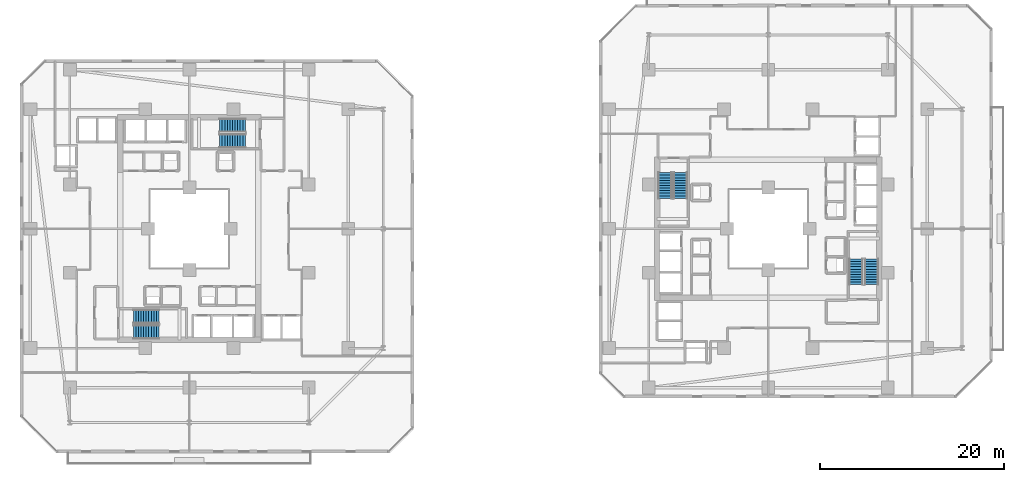
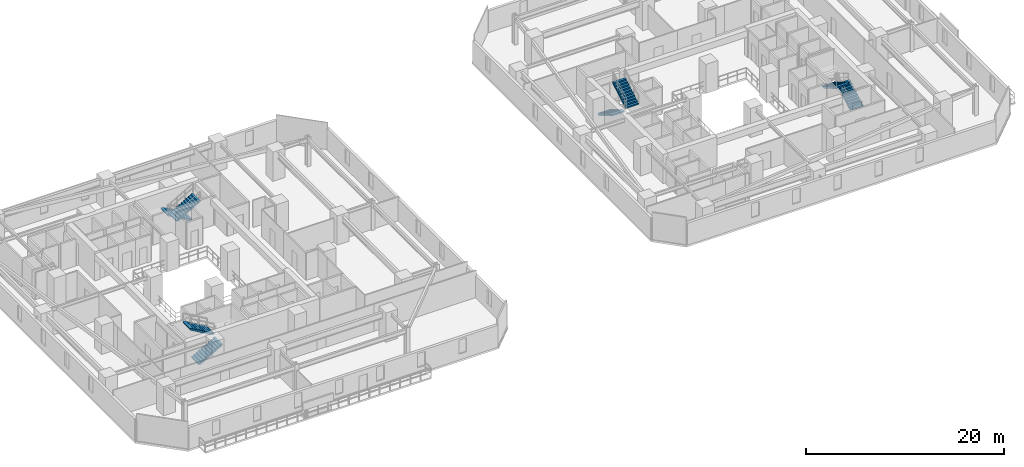
# One storey, part 28 of 34: 8 stair flights, 4 elements without a shape of their own.
"""IFC4 building model written with IfcOpenShell, lengths in metres."""

from ifc_helpers import new_model, si_unit, direction, frame, origin, place, context, subcontext, project, spatial, polyline, outline, extrude, material, type_object, element, aggregate, save


model = new_model("IFC4")

# Units and contexts
model_context = context("Model", 3, precision=1e-05, world=origin(), true_north=direction((0.0, 1.0)))
body_context = subcontext(model_context, "Body", "Model", "MODEL_VIEW")
ifc_project = project(units=[si_unit("LENGTHUNIT", "METRE"), si_unit("AREAUNIT", "SQUARE_METRE"), si_unit("VOLUMEUNIT", "CUBIC_METRE"), si_unit("PLANEANGLEUNIT", "RADIAN"), si_unit("MASSUNIT", "GRAM", prefix="KILO")], contexts=[model_context])

# Site, building, storey
site_placement = place(None, origin())
site = spatial("IfcSite", under=ifc_project, at=site_placement, CompositionType="ELEMENT")
building_placement = place(site_placement, origin())
building = spatial("IfcBuilding", under=site, at=building_placement, Name="Thornwick Lancets Civic Towers", CompositionType="ELEMENT")
storey_placement = place(building_placement, frame((0.0, 0.0, 53.699951171875)))
storey = spatial("IfcBuildingStorey", under=building, at=storey_placement, Name="L13", CompositionType="ELEMENT", Elevation=53.699951171875)

# Stair, stair flights
ifc_material = material(Name="Concrete C40/50", Category="concrete")
stair_type = type_object("IfcStairType", Name="STAIR_DL_3600", PredefinedType="HALF_TURN_STAIR", material=ifc_material)
stair_1_placement = place(storey_placement, origin())
stair_1 = element("IfcStair", 1, at=stair_1_placement, inside=storey, type_object=stair_type, Name="L13 Tower A South Exit Stair ST-A1", PredefinedType="HALF_TURN_STAIR")
stair_flight_type = type_object("IfcStairFlightType", Name="FLIGHT_3600", PredefinedType="STRAIGHT", material=ifc_material)
stair_flight_1_placement = place(storey_placement, frame((19.39990234375, 15.75, 0.0), z_axis=(0.0, 0.0, 1.0), x_axis=(1.0, 0.0, 0.0)))
stair_flight_1 = element("IfcStairFlight", 2, at=stair_flight_1_placement, type_object=stair_flight_type, Name="ST-A1 flight 1", NumberOfRisers=11, NumberOfTreads=10, PredefinedType="STRAIGHT", RiserHeight=0.163636364, TreadLength=0.28, context=body_context, shape_type="SweptSolid", body=[
    extrude(outline(polyline([(0.0, 0.0), (0.0, 0.16357421875), (0.280029296875, 0.16357421875), (0.280029296875, 0.327392578125), (0.56005859375, 0.327392578125), (0.56005859375, 0.490966796875), (0.840087890625, 0.490966796875), (0.840087890625, 0.654541015625), (1.1201171875, 0.654541015625), (1.1201171875, 0.818115234375), (1.39990234375, 0.818115234375), (1.39990234375, 0.98193359375), (1.679931640625, 0.98193359375), (1.679931640625, 1.1455078125), (1.9599609375, 1.1455078125), (1.9599609375, 1.30908203125), (2.239990234375, 1.30908203125), (2.239990234375, 1.47265625), (2.52001953125, 1.47265625), (2.52001953125, 1.636474609375), (2.800048828125, 1.636474609375), (2.800048828125, 1.800048828125), (2.800048828125, 1.462646484375), (0.297119140625, 0.0), (0.0, 0.0)])), frame((0.0, 0.75, 0.0), z_axis=(0.0, -1.0, 0.0), x_axis=(1.0, 0.0, 0.0)), (0.0, 0.0, 1.0), 1.5),
])
stair_flight_2_placement = place(storey_placement, frame((22.199951171875, 17.449951171875, 1.800048828125), z_axis=(0.0, 0.0, 1.0), x_axis=(-1.0, 0.0, 0.0)))
stair_flight_2 = element("IfcStairFlight", 3, at=stair_flight_2_placement, type_object=stair_flight_type, Name="ST-A1 flight 2", NumberOfRisers=11, NumberOfTreads=10, PredefinedType="STRAIGHT", RiserHeight=0.163636364, TreadLength=0.28, context=body_context, shape_type="SweptSolid", body=[
    extrude(outline(polyline([(0.0, 0.0), (0.0, 0.16357421875), (0.280029296875, 0.16357421875), (0.280029296875, 0.327392578125), (0.56005859375, 0.327392578125), (0.56005859375, 0.490966796875), (0.840087890625, 0.490966796875), (0.840087890625, 0.654541015625), (1.1201171875, 0.654541015625), (1.1201171875, 0.818115234375), (1.39990234375, 0.818115234375), (1.39990234375, 0.98193359375), (1.679931640625, 0.98193359375), (1.679931640625, 1.1455078125), (1.9599609375, 1.1455078125), (1.9599609375, 1.30908203125), (2.239990234375, 1.30908203125), (2.239990234375, 1.47265625), (2.52001953125, 1.47265625), (2.52001953125, 1.636474609375), (2.800048828125, 1.636474609375), (2.800048828125, 1.800048828125), (2.800048828125, 1.462646484375), (0.297119140625, 0.0), (0.0, 0.0)])), frame((0.0, 0.75, 0.0), z_axis=(0.0, -1.0, 0.0), x_axis=(1.0, 0.0, 0.0)), (0.0, 0.0, 1.0), 1.5),
])
aggregate(stair_1, [stair_flight_1, stair_flight_2])

stair_2_placement = place(storey_placement, origin())
stair_2 = element("IfcStair", 4, at=stair_2_placement, inside=storey, type_object=stair_type, Name="L13 Tower A North Exit Stair ST-A2", PredefinedType="HALF_TURN_STAIR")
stair_flight_3_placement = place(storey_placement, frame((31.60009765625, 38.25, 0.0), z_axis=(0.0, 0.0, 1.0), x_axis=(-1.0, 0.0, 0.0)))
stair_flight_3 = element("IfcStairFlight", 5, at=stair_flight_3_placement, type_object=stair_flight_type, Name="ST-A2 flight 1", NumberOfRisers=11, NumberOfTreads=10, PredefinedType="STRAIGHT", RiserHeight=0.163636364, TreadLength=0.28, context=body_context, shape_type="SweptSolid", body=[
    extrude(outline(polyline([(0.0, 0.0), (0.0, 0.16357421875), (0.280029296875, 0.16357421875), (0.280029296875, 0.327392578125), (0.56005859375, 0.327392578125), (0.56005859375, 0.490966796875), (0.840087890625, 0.490966796875), (0.840087890625, 0.654541015625), (1.1201171875, 0.654541015625), (1.1201171875, 0.818115234375), (1.39990234375, 0.818115234375), (1.39990234375, 0.98193359375), (1.679931640625, 0.98193359375), (1.679931640625, 1.1455078125), (1.9599609375, 1.1455078125), (1.9599609375, 1.30908203125), (2.239990234375, 1.30908203125), (2.239990234375, 1.47265625), (2.52001953125, 1.47265625), (2.52001953125, 1.636474609375), (2.800048828125, 1.636474609375), (2.800048828125, 1.800048828125), (2.800048828125, 1.462646484375), (0.297119140625, 0.0), (0.0, 0.0)])), frame((0.0, 0.75, 0.0), z_axis=(0.0, -1.0, 0.0), x_axis=(1.0, 0.0, 0.0)), (0.0, 0.0, 1.0), 1.5),
])
stair_flight_4_placement = place(storey_placement, frame((28.800048828125, 36.550048828125, 1.800048828125), z_axis=(0.0, 0.0, 1.0), x_axis=(1.0, 0.0, 0.0)))
stair_flight_4 = element("IfcStairFlight", 6, at=stair_flight_4_placement, type_object=stair_flight_type, Name="ST-A2 flight 2", NumberOfRisers=11, NumberOfTreads=10, PredefinedType="STRAIGHT", RiserHeight=0.163636364, TreadLength=0.28, context=body_context, shape_type="SweptSolid", body=[
    extrude(outline(polyline([(0.0, 0.0), (0.0, 0.16357421875), (0.280029296875, 0.16357421875), (0.280029296875, 0.327392578125), (0.56005859375, 0.327392578125), (0.56005859375, 0.490966796875), (0.840087890625, 0.490966796875), (0.840087890625, 0.654541015625), (1.1201171875, 0.654541015625), (1.1201171875, 0.818115234375), (1.39990234375, 0.818115234375), (1.39990234375, 0.98193359375), (1.679931640625, 0.98193359375), (1.679931640625, 1.1455078125), (1.9599609375, 1.1455078125), (1.9599609375, 1.30908203125), (2.239990234375, 1.30908203125), (2.239990234375, 1.47265625), (2.52001953125, 1.47265625), (2.52001953125, 1.636474609375), (2.800048828125, 1.636474609375), (2.800048828125, 1.800048828125), (2.800048828125, 1.462646484375), (0.297119140625, 0.0), (0.0, 0.0)])), frame((0.0, 0.75, 0.0), z_axis=(0.0, -1.0, 0.0), x_axis=(1.0, 0.0, 0.0)), (0.0, 0.0, 1.0), 1.5),
])
aggregate(stair_2, [stair_flight_3, stair_flight_4])

stair_3_placement = place(storey_placement, origin())
stair_3 = element("IfcStair", 7, at=stair_3_placement, inside=storey, type_object=stair_type, Name="L13 Tower B East Exit Stair ST-B1", PredefinedType="HALF_TURN_STAIR")
stair_flight_5_placement = place(storey_placement, frame((99.75, 20.89990234375, 0.0), z_axis=(0.0, 0.0, 1.0), x_axis=(0.0, 1.0, 0.0)))
stair_flight_5 = element("IfcStairFlight", 8, at=stair_flight_5_placement, type_object=stair_flight_type, Name="ST-B1 flight 1", NumberOfRisers=11, NumberOfTreads=10, PredefinedType="STRAIGHT", RiserHeight=0.163636364, TreadLength=0.28, context=body_context, shape_type="SweptSolid", body=[
    extrude(outline(polyline([(0.0, 0.0), (0.0, 0.16357421875), (0.280029296875, 0.16357421875), (0.280029296875, 0.327392578125), (0.56005859375, 0.327392578125), (0.56005859375, 0.490966796875), (0.840087890625, 0.490966796875), (0.840087890625, 0.654541015625), (1.1201171875, 0.654541015625), (1.1201171875, 0.818115234375), (1.39990234375, 0.818115234375), (1.39990234375, 0.98193359375), (1.679931640625, 0.98193359375), (1.679931640625, 1.1455078125), (1.9599609375, 1.1455078125), (1.9599609375, 1.30908203125), (2.239990234375, 1.30908203125), (2.239990234375, 1.47265625), (2.52001953125, 1.47265625), (2.52001953125, 1.636474609375), (2.800048828125, 1.636474609375), (2.800048828125, 1.800048828125), (2.800048828125, 1.462646484375), (0.297119140625, 0.0), (0.0, 0.0)])), frame((0.0, 0.75, 0.0), z_axis=(0.0, -1.0, 0.0), x_axis=(1.0, 0.0, 0.0)), (0.0, 0.0, 1.0), 1.5),
])
stair_flight_6_placement = place(storey_placement, frame((98.050048828125, 23.699951171875, 1.800048828125), z_axis=(0.0, 0.0, 1.0), x_axis=(0.0, -1.0, 0.0)))
stair_flight_6 = element("IfcStairFlight", 9, at=stair_flight_6_placement, type_object=stair_flight_type, Name="ST-B1 flight 2", NumberOfRisers=11, NumberOfTreads=10, PredefinedType="STRAIGHT", RiserHeight=0.163636364, TreadLength=0.28, context=body_context, shape_type="SweptSolid", body=[
    extrude(outline(polyline([(0.0, 0.0), (0.0, 0.16357421875), (0.280029296875, 0.16357421875), (0.280029296875, 0.327392578125), (0.56005859375, 0.327392578125), (0.56005859375, 0.490966796875), (0.840087890625, 0.490966796875), (0.840087890625, 0.654541015625), (1.1201171875, 0.654541015625), (1.1201171875, 0.818115234375), (1.39990234375, 0.818115234375), (1.39990234375, 0.98193359375), (1.679931640625, 0.98193359375), (1.679931640625, 1.1455078125), (1.9599609375, 1.1455078125), (1.9599609375, 1.30908203125), (2.239990234375, 1.30908203125), (2.239990234375, 1.47265625), (2.52001953125, 1.47265625), (2.52001953125, 1.636474609375), (2.800048828125, 1.636474609375), (2.800048828125, 1.800048828125), (2.800048828125, 1.462646484375), (0.297119140625, 0.0), (0.0, 0.0)])), frame((0.0, 0.75, 0.0), z_axis=(0.0, -1.0, 0.0), x_axis=(1.0, 0.0, 0.0)), (0.0, 0.0, 1.0), 1.5),
])
aggregate(stair_3, [stair_flight_5, stair_flight_6])

stair_4_placement = place(storey_placement, origin())
stair_4 = element("IfcStair", 10, at=stair_4_placement, inside=storey, type_object=stair_type, Name="L13 Tower B West Exit Stair ST-B2", PredefinedType="HALF_TURN_STAIR")
stair_flight_7_placement = place(storey_placement, frame((77.25, 33.10009765625, 0.0), z_axis=(0.0, 0.0, 1.0), x_axis=(0.0, -1.0, 0.0)))
stair_flight_7 = element("IfcStairFlight", 11, at=stair_flight_7_placement, type_object=stair_flight_type, Name="ST-B2 flight 1", NumberOfRisers=11, NumberOfTreads=10, PredefinedType="STRAIGHT", RiserHeight=0.163636364, TreadLength=0.28, context=body_context, shape_type="SweptSolid", body=[
    extrude(outline(polyline([(0.0, 0.0), (0.0, 0.16357421875), (0.280029296875, 0.16357421875), (0.280029296875, 0.327392578125), (0.56005859375, 0.327392578125), (0.56005859375, 0.490966796875), (0.840087890625, 0.490966796875), (0.840087890625, 0.654541015625), (1.1201171875, 0.654541015625), (1.1201171875, 0.818115234375), (1.39990234375, 0.818115234375), (1.39990234375, 0.98193359375), (1.679931640625, 0.98193359375), (1.679931640625, 1.1455078125), (1.9599609375, 1.1455078125), (1.9599609375, 1.30908203125), (2.239990234375, 1.30908203125), (2.239990234375, 1.47265625), (2.52001953125, 1.47265625), (2.52001953125, 1.636474609375), (2.800048828125, 1.636474609375), (2.800048828125, 1.800048828125), (2.800048828125, 1.462646484375), (0.297119140625, 0.0), (0.0, 0.0)])), frame((0.0, 0.75, 0.0), z_axis=(0.0, -1.0, 0.0), x_axis=(1.0, 0.0, 0.0)), (0.0, 0.0, 1.0), 1.5),
])
stair_flight_8_placement = place(storey_placement, frame((78.949951171875, 30.300048828125, 1.800048828125), z_axis=(0.0, 0.0, 1.0), x_axis=(0.0, 1.0, 0.0)))
stair_flight_8 = element("IfcStairFlight", 12, at=stair_flight_8_placement, type_object=stair_flight_type, Name="ST-B2 flight 2", NumberOfRisers=11, NumberOfTreads=10, PredefinedType="STRAIGHT", RiserHeight=0.163636364, TreadLength=0.28, context=body_context, shape_type="SweptSolid", body=[
    extrude(outline(polyline([(0.0, 0.0), (0.0, 0.16357421875), (0.280029296875, 0.16357421875), (0.280029296875, 0.327392578125), (0.56005859375, 0.327392578125), (0.56005859375, 0.490966796875), (0.840087890625, 0.490966796875), (0.840087890625, 0.654541015625), (1.1201171875, 0.654541015625), (1.1201171875, 0.818115234375), (1.39990234375, 0.818115234375), (1.39990234375, 0.98193359375), (1.679931640625, 0.98193359375), (1.679931640625, 1.1455078125), (1.9599609375, 1.1455078125), (1.9599609375, 1.30908203125), (2.239990234375, 1.30908203125), (2.239990234375, 1.47265625), (2.52001953125, 1.47265625), (2.52001953125, 1.636474609375), (2.800048828125, 1.636474609375), (2.800048828125, 1.800048828125), (2.800048828125, 1.462646484375), (0.297119140625, 0.0), (0.0, 0.0)])), frame((0.0, 0.75, 0.0), z_axis=(0.0, -1.0, 0.0), x_axis=(1.0, 0.0, 0.0)), (0.0, 0.0, 1.0), 1.5),
])
aggregate(stair_4, [stair_flight_7, stair_flight_8])

save(model, "model.ifc")
